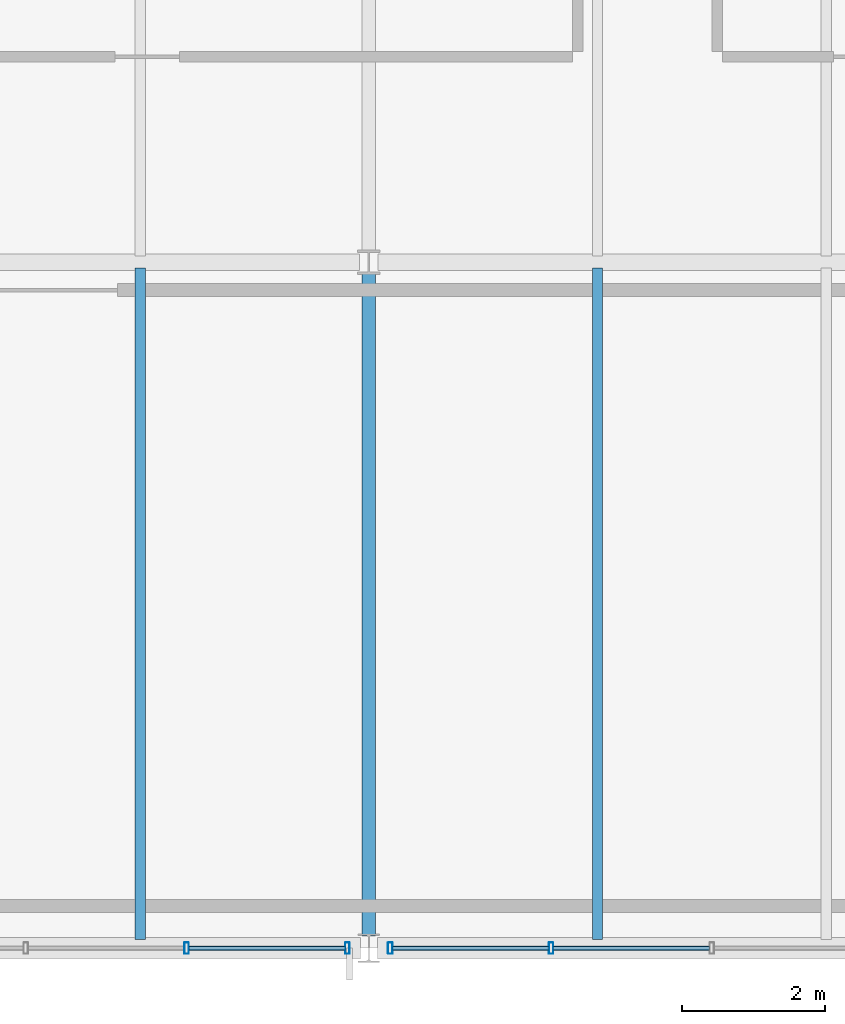
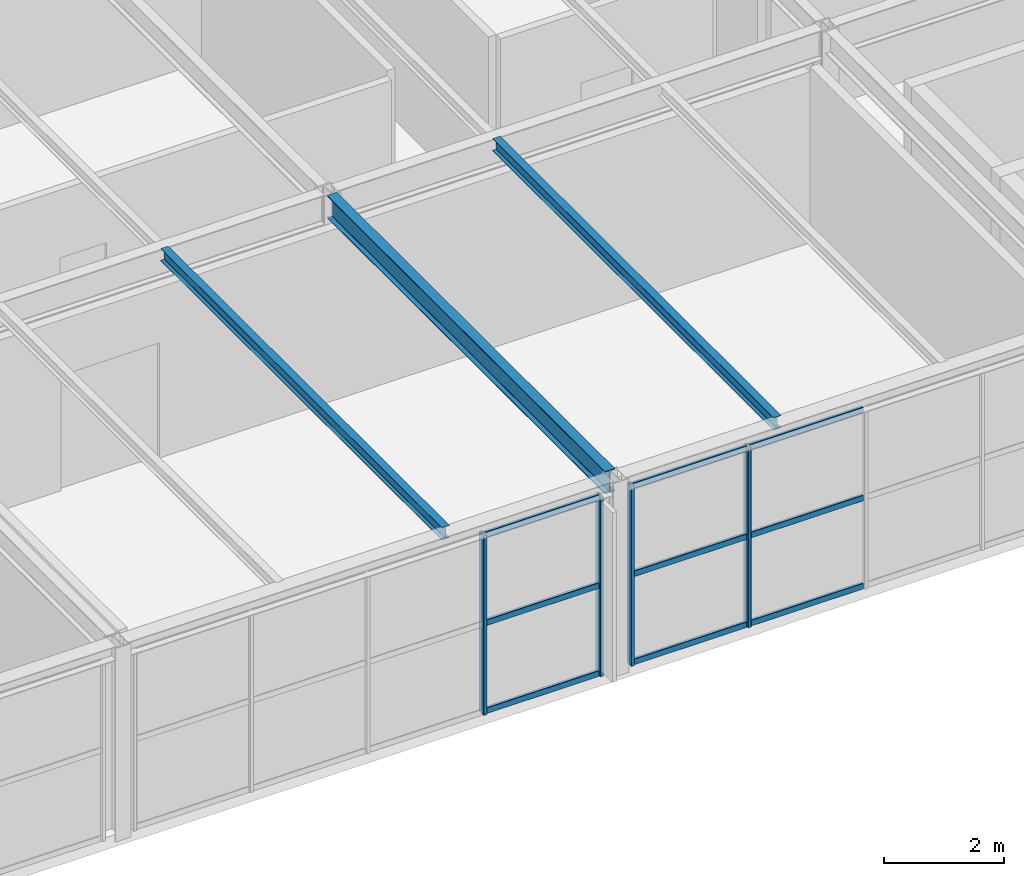
# One storey, part 45 of 126: 13 members, 3 beams, 2 elements without a shape of their own.
"""IFC4 building model written with IfcOpenShell, lengths in metres."""

from ifc_helpers import new_model, si_unit, direction, frame, origin, origin_2d, place, context, subcontext, project, spatial, hollow_rectangle, i_section, extrude, material, material_profile, profile_set, type_object, element, aggregate, save


model = new_model("IFC4")

# Units and contexts
model_context = context("Model", 3, precision=1e-05, world=origin(), true_north=direction((0.0, 1.0)))
body_context = subcontext(model_context, "Body", "Model", "MODEL_VIEW")
ifc_project = project(units=[si_unit("LENGTHUNIT", "METRE"), si_unit("AREAUNIT", "SQUARE_METRE"), si_unit("VOLUMEUNIT", "CUBIC_METRE"), si_unit("PLANEANGLEUNIT", "RADIAN"), si_unit("MASSUNIT", "GRAM", prefix="KILO")], contexts=[model_context])

# Site, building, storey
site_placement = place(None, origin())
site = spatial("IfcSite", under=ifc_project, at=site_placement, CompositionType="ELEMENT")
building_placement = place(site_placement, origin())
building = spatial("IfcBuilding", under=site, at=building_placement, Name="Coralgate Yard Interchange", CompositionType="ELEMENT")
storey_placement = place(building_placement, frame((0.0, 0.0, 10.5)))
storey = spatial("IfcBuildingStorey", under=building, at=storey_placement, Name="L02", CompositionType="ELEMENT", Elevation=10.5)

# Beams
ifc_material_1 = material(Name="Structural steel S355J2", Category="steel")
ifc_material_profile_1 = material_profile(ifc_material_1, i_section(OverallWidth=0.1904296875, OverallDepth=0.45703125, WebThickness=0.009033203125, FlangeThickness=0.014404296875, FilletRadius=0.01025390625, at=origin_2d()), Name="UB 457x191x74")
ifc_profile_set_1 = profile_set([ifc_material_profile_1], Name="Structural steel S355J2")
beam_type_1 = type_object("IfcBeamType", Name="BM-SB-2", PredefinedType="BEAM", material=ifc_profile_set_1)
beam_placement = place(storey_placement, frame((67.199951171875, 0.169921875, 3.721435546875), z_axis=(0.0, 1.0, 0.0), x_axis=(-1.0, 0.0, 0.0)))
element("IfcBeam", 1, at=beam_placement, inside=storey, type_object=beam_type_1, Name="L02 primary grid girder X7 Y0-1", PredefinedType="BEAM", context=body_context, shape_type="SweptSolid", body=[
    extrude(i_section(OverallWidth=0.1904296875, OverallDepth=0.45703125, WebThickness=0.009033203125, FlangeThickness=0.014404296875, FilletRadius=0.01025390625, at=origin_2d()), origin(), (0.0, 0.0, 1.0), 9.2900390625),
])
ifc_material_profile_2 = material_profile(ifc_material_1, i_section(OverallWidth=0.14599609375, OverallDepth=0.25146484375, WebThickness=0.006103515625, FlangeThickness=0.008544921875, FilletRadius=0.007568359375, at=origin_2d()), Name="UB 254x146x31")
ifc_profile_set_2 = profile_set([ifc_material_profile_2], Name="Structural steel S355J2")
beam_type_2 = type_object("IfcBeamType", Name="BM-SJ-2", PredefinedType="JOIST", material=ifc_profile_set_2)
for number, where, z_axis, x_axis, name in (
    (2, (64.0, 0.1201171875, 3.82421875), (0.0, 1.0, 0.0), (-1.0, 0.0, 0.0), "L02 composite floor joist 6-0-2"),
    (3, (70.39990234375, 0.1201171875, 3.82421875), (0.0, 1.0, 0.0), (-1.0, 0.0, 0.0), "L02 composite floor joist 7-0-1"),
):
    element("IfcBeam", number, at=place(storey_placement, frame(where, z_axis=z_axis, x_axis=x_axis)), inside=storey, type_object=beam_type_2, Name=name, PredefinedType="JOIST", context=body_context, shape_type="SweptSolid", body=[
        extrude(i_section(OverallWidth=0.14599609375, OverallDepth=0.25146484375, WebThickness=0.006103515625, FlangeThickness=0.008544921875, FilletRadius=0.007568359375, at=origin_2d()), origin(), (0.0, 0.0, 1.0), 9.395751953125),
    ])

# Curtain wall, members
ifc_material_2 = material(Name="Anodised coastal aluminium and solar-control low-E glass", Category="aluminium")
curtain_wall_type = type_object("IfcCurtainWallType", Name="CW-CW-L02-A", PredefinedType="NOTDEFINED", material=ifc_material_2)
curtain_wall_1_placement = place(storey_placement, origin())
curtain_wall_1 = element("IfcCurtainWall", 4, at=curtain_wall_1_placement, inside=storey, type_object=curtain_wall_type, Name="L02 unitised curtain wall CW-L02-S-06-00", PredefinedType="NOTDEFINED")
ifc_material_3 = material(Name="Anodised coastal aluminium 6063-T6", Category="aluminium")
ifc_material_profile_3 = material_profile(ifc_material_3, hollow_rectangle(XDim=0.06494140625, YDim=0.159912109375, WallThickness=0.00390625, InnerFilletRadius=0.00390625, OuterFilletRadius=0.008056640625, at=origin_2d()), Name="ALU 65x160x4")
ifc_profile_set_3 = profile_set([ifc_material_profile_3], Name="Anodised coastal aluminium 6063-T6")
member_type_1 = type_object("IfcMemberType", Name="MB-MUL-160", PredefinedType="MULLION", material=ifc_profile_set_3)
member_1_placement = place(storey_placement, frame((66.89990234375, 0.0, 0.0), z_axis=(0.0, 0.0, 1.0), x_axis=(1.0, 0.0, 0.0)))
member_1 = element("IfcMember", 5, at=member_1_placement, type_object=member_type_1, Name="CW-L02-S-06-00 vertical mullion 1", PredefinedType="MULLION", context=body_context, shape_type="SweptSolid", body=[
    extrude(hollow_rectangle(XDim=0.06494140625, YDim=0.159912109375, WallThickness=0.00390625, InnerFilletRadius=0.00390625, OuterFilletRadius=0.008056640625, at=origin_2d()), origin(), (0.0, 0.0, 1.0), 3.659912109375),
])
member_2_placement = place(storey_placement, frame((64.64990234375, 0.0, 0.0), z_axis=(0.0, 0.0, 1.0), x_axis=(1.0, 0.0, 0.0)))
member_2 = element("IfcMember", 6, at=member_2_placement, type_object=member_type_1, Name="CW-L02-S-06-00 vertical mullion 2", PredefinedType="MULLION", context=body_context, shape_type="SweptSolid", body=[
    extrude(hollow_rectangle(XDim=0.06494140625, YDim=0.159912109375, WallThickness=0.00390625, InnerFilletRadius=0.00390625, OuterFilletRadius=0.008056640625, at=origin_2d()), origin(), (0.0, 0.0, 1.0), 3.659912109375),
])

curtain_wall_2_placement = place(storey_placement, origin())
curtain_wall_2 = element("IfcCurtainWall", 7, at=curtain_wall_2_placement, inside=storey, type_object=curtain_wall_type, Name="L02 unitised curtain wall CW-L02-S-07-00", PredefinedType="NOTDEFINED")
member_3_placement = place(storey_placement, frame((69.75, 0.0, 0.0), z_axis=(0.0, 0.0, 1.0), x_axis=(1.0, 0.0, 0.0)))
member_3 = element("IfcMember", 8, at=member_3_placement, type_object=member_type_1, Name="CW-L02-S-07-00 vertical mullion 4", PredefinedType="MULLION", context=body_context, shape_type="SweptSolid", body=[
    extrude(hollow_rectangle(XDim=0.06494140625, YDim=0.159912109375, WallThickness=0.00390625, InnerFilletRadius=0.00390625, OuterFilletRadius=0.008056640625, at=origin_2d()), origin(), (0.0, 0.0, 1.0), 3.659912109375),
])
member_4_placement = place(storey_placement, frame((67.5, 0.0, 0.0), z_axis=(0.0, 0.0, 1.0), x_axis=(1.0, 0.0, 0.0)))
member_4 = element("IfcMember", 9, at=member_4_placement, type_object=member_type_1, Name="CW-L02-S-07-00 vertical mullion 5", PredefinedType="MULLION", context=body_context, shape_type="SweptSolid", body=[
    extrude(hollow_rectangle(XDim=0.06494140625, YDim=0.159912109375, WallThickness=0.00390625, InnerFilletRadius=0.00390625, OuterFilletRadius=0.008056640625, at=origin_2d()), origin(), (0.0, 0.0, 1.0), 3.659912109375),
])

# Member
ifc_material_profile_4 = material_profile(ifc_material_3, hollow_rectangle(XDim=0.06005859375, YDim=0.1201171875, WallThickness=0.00341796875, InnerFilletRadius=0.00341796875, OuterFilletRadius=0.007080078125, at=origin_2d()), Name="ALU 60x120x3.5")
ifc_profile_set_4 = profile_set([ifc_material_profile_4], Name="Anodised coastal aluminium 6063-T6")
member_type_2 = type_object("IfcMemberType", Name="MB-TRN-120", PredefinedType="USERDEFINED", material=ifc_profile_set_4)
member_5_placement = place(storey_placement, frame((66.8701171875, 0.0, 0.034912109375), z_axis=(-1.0, 0.0, 0.0), x_axis=(0.0, -1.0, 0.0)))
member_5 = element("IfcMember", 10, at=member_5_placement, type_object=member_type_2, Name="CW-L02-S-06-00 horizontal transom 1-1", ObjectType="TRANSOM", PredefinedType="USERDEFINED", context=body_context, shape_type="SweptSolid", body=[
    extrude(hollow_rectangle(XDim=0.06005859375, YDim=0.1201171875, WallThickness=0.00341796875, InnerFilletRadius=0.00341796875, OuterFilletRadius=0.007080078125, at=origin_2d()), origin(), (0.0, 0.0, 1.0), 2.190185546875),
])

member_6_placement = place(storey_placement, frame((66.8701171875, 0.0, 1.830078125), z_axis=(-1.0, 0.0, 0.0), x_axis=(0.0, -1.0, 0.0)))
member_6 = element("IfcMember", 11, at=member_6_placement, type_object=member_type_2, Name="CW-L02-S-06-00 horizontal transom 1-2", ObjectType="TRANSOM", PredefinedType="USERDEFINED", context=body_context, shape_type="SweptSolid", body=[
    extrude(hollow_rectangle(XDim=0.06005859375, YDim=0.1201171875, WallThickness=0.00341796875, InnerFilletRadius=0.00341796875, OuterFilletRadius=0.007080078125, at=origin_2d()), origin(), (0.0, 0.0, 1.0), 2.190185546875),
])

member_7_placement = place(storey_placement, frame((66.8701171875, 0.0, 3.625), z_axis=(-1.0, 0.0, 0.0), x_axis=(0.0, -1.0, 0.0)))
member_7 = element("IfcMember", 12, at=member_7_placement, type_object=member_type_2, Name="CW-L02-S-06-00 horizontal transom 1-3", ObjectType="TRANSOM", PredefinedType="USERDEFINED", context=body_context, shape_type="SweptSolid", body=[
    extrude(hollow_rectangle(XDim=0.06005859375, YDim=0.1201171875, WallThickness=0.00341796875, InnerFilletRadius=0.00341796875, OuterFilletRadius=0.007080078125, at=origin_2d()), origin(), (0.0, 0.0, 1.0), 2.190185546875),
])

aggregate(curtain_wall_1, [member_1, member_2, member_5, member_6, member_7])

member_8_placement = place(storey_placement, frame((71.969970703125, 0.0, 0.034912109375), z_axis=(-1.0, 0.0, 0.0), x_axis=(0.0, -1.0, 0.0)))
member_8 = element("IfcMember", 13, at=member_8_placement, type_object=member_type_2, Name="CW-L02-S-07-00 horizontal transom 3-1", ObjectType="TRANSOM", PredefinedType="USERDEFINED", context=body_context, shape_type="SweptSolid", body=[
    extrude(hollow_rectangle(XDim=0.06005859375, YDim=0.1201171875, WallThickness=0.00341796875, InnerFilletRadius=0.00341796875, OuterFilletRadius=0.007080078125, at=origin_2d()), origin(), (0.0, 0.0, 1.0), 2.18994140625),
])

member_9_placement = place(storey_placement, frame((71.969970703125, 0.0, 1.830078125), z_axis=(-1.0, 0.0, 0.0), x_axis=(0.0, -1.0, 0.0)))
member_9 = element("IfcMember", 14, at=member_9_placement, type_object=member_type_2, Name="CW-L02-S-07-00 horizontal transom 3-2", ObjectType="TRANSOM", PredefinedType="USERDEFINED", context=body_context, shape_type="SweptSolid", body=[
    extrude(hollow_rectangle(XDim=0.06005859375, YDim=0.1201171875, WallThickness=0.00341796875, InnerFilletRadius=0.00341796875, OuterFilletRadius=0.007080078125, at=origin_2d()), origin(), (0.0, 0.0, 1.0), 2.18994140625),
])

member_10_placement = place(storey_placement, frame((71.969970703125, 0.0, 3.625), z_axis=(-1.0, 0.0, 0.0), x_axis=(0.0, -1.0, 0.0)))
member_10 = element("IfcMember", 15, at=member_10_placement, type_object=member_type_2, Name="CW-L02-S-07-00 horizontal transom 3-3", ObjectType="TRANSOM", PredefinedType="USERDEFINED", context=body_context, shape_type="SweptSolid", body=[
    extrude(hollow_rectangle(XDim=0.06005859375, YDim=0.1201171875, WallThickness=0.00341796875, InnerFilletRadius=0.00341796875, OuterFilletRadius=0.007080078125, at=origin_2d()), origin(), (0.0, 0.0, 1.0), 2.18994140625),
])

member_11_placement = place(storey_placement, frame((69.719970703125, 0.0, 0.034912109375), z_axis=(-1.0, 0.0, 0.0), x_axis=(0.0, -1.0, 0.0)))
member_11 = element("IfcMember", 16, at=member_11_placement, type_object=member_type_2, Name="CW-L02-S-07-00 horizontal transom 4-1", ObjectType="TRANSOM", PredefinedType="USERDEFINED", context=body_context, shape_type="SweptSolid", body=[
    extrude(hollow_rectangle(XDim=0.06005859375, YDim=0.1201171875, WallThickness=0.00341796875, InnerFilletRadius=0.00341796875, OuterFilletRadius=0.007080078125, at=origin_2d()), origin(), (0.0, 0.0, 1.0), 2.18994140625),
])

member_12_placement = place(storey_placement, frame((69.719970703125, 0.0, 1.830078125), z_axis=(-1.0, 0.0, 0.0), x_axis=(0.0, -1.0, 0.0)))
member_12 = element("IfcMember", 17, at=member_12_placement, type_object=member_type_2, Name="CW-L02-S-07-00 horizontal transom 4-2", ObjectType="TRANSOM", PredefinedType="USERDEFINED", context=body_context, shape_type="SweptSolid", body=[
    extrude(hollow_rectangle(XDim=0.06005859375, YDim=0.1201171875, WallThickness=0.00341796875, InnerFilletRadius=0.00341796875, OuterFilletRadius=0.007080078125, at=origin_2d()), origin(), (0.0, 0.0, 1.0), 2.18994140625),
])

member_13_placement = place(storey_placement, frame((69.719970703125, 0.0, 3.625), z_axis=(-1.0, 0.0, 0.0), x_axis=(0.0, -1.0, 0.0)))
member_13 = element("IfcMember", 18, at=member_13_placement, type_object=member_type_2, Name="CW-L02-S-07-00 horizontal transom 4-3", ObjectType="TRANSOM", PredefinedType="USERDEFINED", context=body_context, shape_type="SweptSolid", body=[
    extrude(hollow_rectangle(XDim=0.06005859375, YDim=0.1201171875, WallThickness=0.00341796875, InnerFilletRadius=0.00341796875, OuterFilletRadius=0.007080078125, at=origin_2d()), origin(), (0.0, 0.0, 1.0), 2.18994140625),
])

aggregate(curtain_wall_2, [member_3, member_4, member_8, member_9, member_10, member_11, member_12, member_13])

save(model, "model.ifc")
